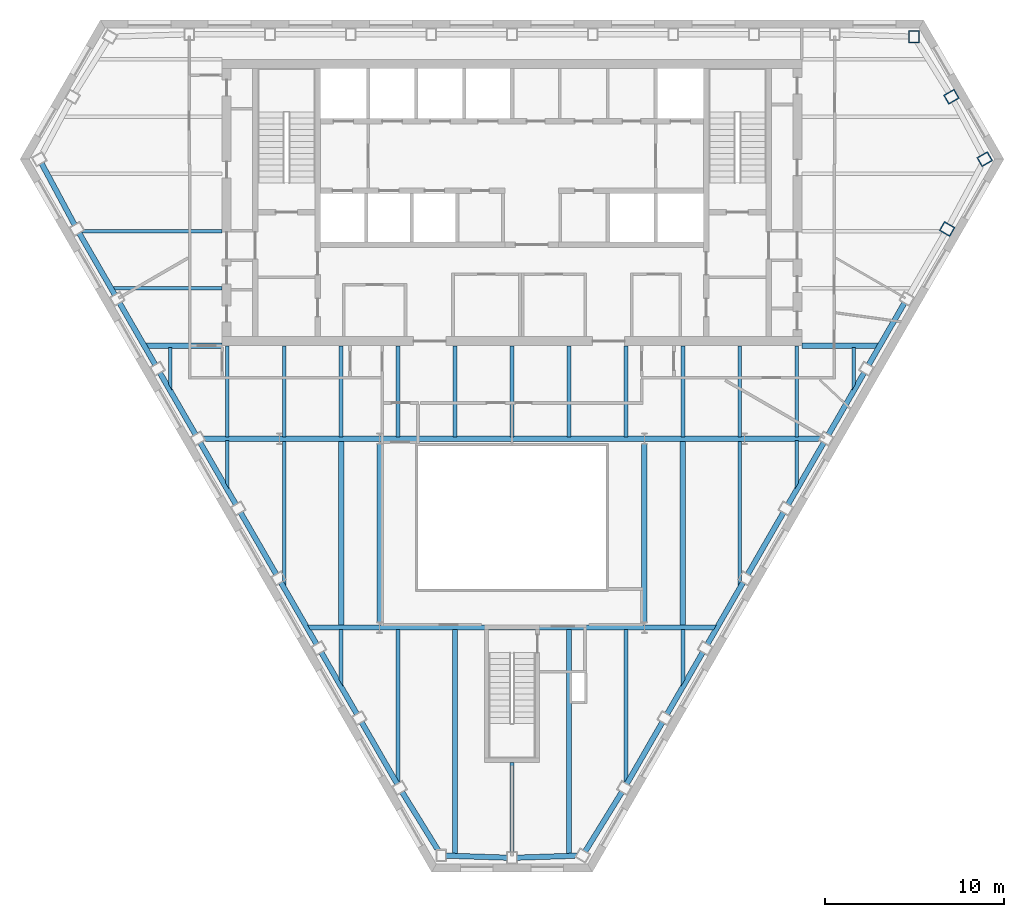
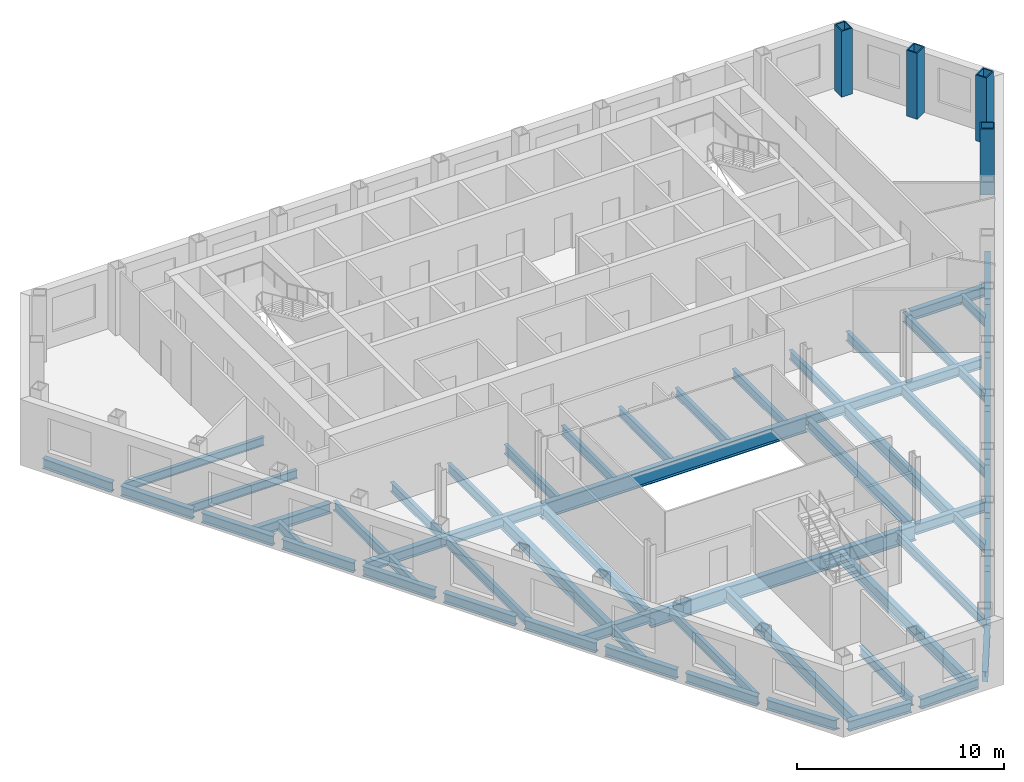
# One storey, part 2 of 11: 60 beams, 4 columns.
"""IFC4 building model written with IfcOpenShell, lengths in metres."""

from ifc_helpers import new_model, si_unit, direction, frame, origin, origin_2d, place, context, subcontext, project, spatial, hollow_rectangle, i_section, extrude, clip, halfspace, material, material_profile, profile_set, type_object, element, save


model = new_model("IFC4")

# Units and contexts
model_context = context("Model", 3, precision=1e-05, world=origin(), true_north=direction((0.0, 1.0)))
body_context = subcontext(model_context, "Body", "Model", "MODEL_VIEW")
ifc_project = project(units=[si_unit("LENGTHUNIT", "METRE"), si_unit("AREAUNIT", "SQUARE_METRE"), si_unit("VOLUMEUNIT", "CUBIC_METRE"), si_unit("PLANEANGLEUNIT", "RADIAN"), si_unit("MASSUNIT", "GRAM", prefix="KILO")], contexts=[model_context])

# Site, building, storey
site_placement = place(None, origin())
site = spatial("IfcSite", under=ifc_project, at=site_placement, CompositionType="ELEMENT")
building_placement = place(site_placement, origin())
building = spatial("IfcBuilding", under=site, at=building_placement, Name="Njiva Tower", CompositionType="ELEMENT")
storey_placement = place(building_placement, frame((0.0, 0.0, 143.7)))
storey = spatial("IfcBuildingStorey", under=building, at=storey_placement, Name="L30", CompositionType="ELEMENT", Elevation=143.7)

# Columns
ifc_material = material(Name="Steel S355 J2", Category="steel")
ifc_material_profile_1 = material_profile(ifc_material, hollow_rectangle(XDim=0.6, YDim=0.7, WallThickness=0.06, at=origin_2d()), Name="BOX 700x600x60")
ifc_profile_set_1 = profile_set([ifc_material_profile_1], Name="Steel S355 J2")
column_type = type_object("IfcColumnType", Name="C9 Perimeter tube column BOX 700x600x60", PredefinedType="COLUMN", material=ifc_profile_set_1)
for number, where, z_axis, x_axis, name in (
    (1, (22.466, 19.267, 0.0), (0.0, 0.0, 1.0), (-1.0, 0.0, 0.0), "Perimeter tube column S10-C01"),
    (2, (24.317, 8.519, 0.0), (0.0, 0.0, 1.0), (0.5, 0.866025403784, 0.0), "Perimeter tube column S10-C34"),
    (3, (26.418, 12.423, 0.0), (0.0, 0.0, 1.0), (-0.5, 0.866025403784, 0.0), "Perimeter tube column S10-C35"),
    (4, (24.557, 15.912, 0.0), (0.0, 0.0, 1.0), (-0.5, 0.866025403784, 0.0), "Perimeter tube column S10-C36"),
):
    element("IfcColumn", number, at=place(storey_placement, frame(where, z_axis=z_axis, x_axis=x_axis)), inside=storey, type_object=column_type, Name=name, PredefinedType="COLUMN", context=body_context, shape_type="SweptSolid", body=[
        extrude(hollow_rectangle(XDim=0.6, YDim=0.7, WallThickness=0.06, at=origin_2d()), origin(), (0.0, 0.0, 1.0), 3.9),
    ])

# Beams
ifc_material_profile_2 = material_profile(ifc_material, i_section(OverallWidth=0.3, OverallDepth=0.69, WebThickness=0.0145, FlangeThickness=0.027, at=origin_2d()), Name="HEA 700")
ifc_profile_set_2 = profile_set([ifc_material_profile_2], Name="Steel S355 J2")
beam_type_1 = type_object("IfcBeamType", Name="B12 Long-span floor joist HEA 700", PredefinedType="JOIST", material=ifc_profile_set_2)
beam_1_placement = place(storey_placement, frame((-9.55, -3.3, -0.545), z_axis=(0.0, -1.0, 0.0), x_axis=(1.0, 0.0, 0.0)))
element("IfcBeam", 5, at=beam_1_placement, inside=storey, type_object=beam_type_1, Name="Long-span floor joist S10-B078", PredefinedType="JOIST", context=body_context, shape_type="SweptSolid", body=[
    extrude(i_section(OverallWidth=0.3, OverallDepth=0.69, WebThickness=0.0145, FlangeThickness=0.027, at=origin_2d()), origin(), (0.0, 0.0, 1.0), 10.35),
])
for number, where, z_axis, x_axis, name in (
    (6, (-3.183, -13.851, -0.545), (0.0, -1.0, 0.0), (1.0, 0.0, 0.0), "Long-span floor joist S10-B083"),
    (7, (3.183, -13.851, -0.545), (0.0, -1.0, 0.0), (1.0, 0.0, 0.0), "Long-span floor joist S10-B088"),
):
    element("IfcBeam", number, at=place(storey_placement, frame(where, z_axis=z_axis, x_axis=x_axis)), inside=storey, type_object=beam_type_1, Name=name, PredefinedType="JOIST", context=body_context, shape_type="SweptSolid", body=[
        extrude(i_section(OverallWidth=0.3, OverallDepth=0.69, WebThickness=0.0145, FlangeThickness=0.027, at=origin_2d()), origin(), (0.0, 0.0, 1.0), 12.562),
    ])
beam_2_placement = place(storey_placement, frame((9.55, -3.3, -0.545), z_axis=(0.0, -1.0, 0.0), x_axis=(1.0, 0.0, 0.0)))
element("IfcBeam", 8, at=beam_2_placement, inside=storey, type_object=beam_type_1, Name="Long-span floor joist S10-B094", PredefinedType="JOIST", context=body_context, shape_type="SweptSolid", body=[
    extrude(i_section(OverallWidth=0.3, OverallDepth=0.69, WebThickness=0.0145, FlangeThickness=0.027, at=origin_2d()), origin(), (0.0, 0.0, 1.0), 10.35),
])
ifc_material_profile_3 = material_profile(ifc_material, i_section(OverallWidth=0.2, OverallDepth=0.5, WebThickness=0.0102, FlangeThickness=0.016, at=origin_2d()), Name="IPE 500")
ifc_profile_set_3 = profile_set([ifc_material_profile_3], Name="Steel S355 J2")
beam_type_2 = type_object("IfcBeamType", Name="B24 Floor beam to the core IPE 500", PredefinedType="BEAM", material=ifc_profile_set_3)
beam_3_placement = place(storey_placement, frame((-22.364, 5.2, -0.45), z_axis=(1.0, 0.0, 0.0), x_axis=(0.0, 1.0, 0.0)))
element("IfcBeam", 9, at=beam_3_placement, inside=storey, type_object=beam_type_2, Name="Floor beam to the core S10-B024", PredefinedType="BEAM", context=body_context, shape_type="Clipping", body=[
    clip(extrude(i_section(OverallWidth=0.2, OverallDepth=0.5, WebThickness=0.0102, FlangeThickness=0.016, at=origin_2d()), origin(), (0.0, 0.0, 1.0), 6.164), halfspace(frame((-0.025, 0.0, 0.0929), z_axis=(-0.499998009787, 0.0, -0.866026552831), x_axis=(0.0, -1.0, 0.0)), False)),
])
beam_4_placement = place(storey_placement, frame((-24.216, 8.4, -0.45), z_axis=(1.0, 0.0, 0.0), x_axis=(0.0, 1.0, 0.0)))
element("IfcBeam", 10, at=beam_4_placement, inside=storey, type_object=beam_type_2, Name="Floor beam to the core S10-B022", PredefinedType="BEAM", context=body_context, shape_type="Clipping", body=[
    clip(extrude(i_section(OverallWidth=0.2, OverallDepth=0.5, WebThickness=0.0102, FlangeThickness=0.016, at=origin_2d()), origin(), (0.0, 0.0, 1.0), 8.016), halfspace(frame((0.0433, 0.0, 0.2679), z_axis=(0.866026552831, 0.0, -0.499998009787), x_axis=(0.0, -1.0, 0.0)), False)),
])
ifc_material_profile_4 = material_profile(ifc_material, i_section(OverallWidth=0.3, OverallDepth=0.59, WebThickness=0.013, FlangeThickness=0.025, at=origin_2d()), Name="HEA 600")
ifc_profile_set_4 = profile_set([ifc_material_profile_4], Name="Steel S355 J2")
beam_type_3 = type_object("IfcBeamType", Name="B27 Short-span spandrel beam HEA 600", PredefinedType="SPANDREL", material=ifc_profile_set_4)
beam_5_placement = place(storey_placement, frame((-26.297, 12.2, -0.495), z_axis=(0.473704904444, -0.880683634176, 0.0), x_axis=(0.880683634176, 0.473704904444, 0.0)))
element("IfcBeam", 11, at=beam_5_placement, inside=storey, type_object=beam_type_3, Name="Short-span spandrel beam S10-B108", PredefinedType="SPANDREL", context=body_context, shape_type="SweptSolid", body=[
    extrude(i_section(OverallWidth=0.3, OverallDepth=0.59, WebThickness=0.013, FlangeThickness=0.025, at=origin_2d()), origin(), (0.0, 0.0, 1.0), 3.9265),
])
beam_6_placement = place(storey_placement, frame((-24.192, 8.302, -0.495), z_axis=(0.500003221507, -0.866023543838, 0.0), x_axis=(0.866023543838, 0.500003221507, 0.0)))
element("IfcBeam", 12, at=beam_6_placement, inside=storey, type_object=beam_type_3, Name="Short-span spandrel beam S10-B113", PredefinedType="SPANDREL", context=body_context, shape_type="SweptSolid", body=[
    extrude(i_section(OverallWidth=0.3, OverallDepth=0.59, WebThickness=0.013, FlangeThickness=0.025, at=origin_2d()), origin(), (0.0, 0.0, 1.0), 4.008),
])
beam_7_placement = place(storey_placement, frame((-21.938, 4.398, -0.495), z_axis=(0.499974286969, -0.866040248701, 0.0), x_axis=(0.866040248701, 0.499974286969, 0.0)))
element("IfcBeam", 13, at=beam_7_placement, inside=storey, type_object=beam_type_3, Name="Short-span spandrel beam S10-B116", PredefinedType="SPANDREL", context=body_context, shape_type="SweptSolid", body=[
    extrude(i_section(OverallWidth=0.3, OverallDepth=0.59, WebThickness=0.013, FlangeThickness=0.025, at=origin_2d()), origin(), (0.0, 0.0, 1.0), 4.0102),
])
for number, where, z_axis, x_axis, name in (
    (14, (-19.683, 0.492, -0.495), (0.500003221507, -0.866023543838, 0.0), (0.866023543838, 0.500003221507, 0.0), "Short-span spandrel beam S10-B118"),
    (15, (-17.429, -3.412, -0.495), (0.500003221507, -0.866023543838, 0.0), (0.866023543838, 0.500003221507, 0.0), "Short-span spandrel beam S10-B121"),
):
    element("IfcBeam", number, at=place(storey_placement, frame(where, z_axis=z_axis, x_axis=x_axis)), inside=storey, type_object=beam_type_3, Name=name, PredefinedType="SPANDREL", context=body_context, shape_type="SweptSolid", body=[
        extrude(i_section(OverallWidth=0.3, OverallDepth=0.59, WebThickness=0.013, FlangeThickness=0.025, at=origin_2d()), origin(), (0.0, 0.0, 1.0), 4.008),
    ])
beam_8_placement = place(storey_placement, frame((-15.175, -7.316, -0.495), z_axis=(0.500082280366, -0.865977893981, 0.0), x_axis=(0.865977893981, 0.500082280366, 0.0)))
element("IfcBeam", 16, at=beam_8_placement, inside=storey, type_object=beam_type_3, Name="Short-span spandrel beam S10-B123", PredefinedType="SPANDREL", context=body_context, shape_type="SweptSolid", body=[
    extrude(i_section(OverallWidth=0.3, OverallDepth=0.59, WebThickness=0.013, FlangeThickness=0.025, at=origin_2d()), origin(), (0.0, 0.0, 1.0), 4.0093),
])
beam_9_placement = place(storey_placement, frame((-12.92, -11.221, -0.495), z_axis=(0.499895202697, -0.866085900082, 0.0), x_axis=(0.866085900082, 0.499895202697, 0.0)))
element("IfcBeam", 17, at=beam_9_placement, inside=storey, type_object=beam_type_3, Name="Short-span spandrel beam S10-B126", PredefinedType="SPANDREL", context=body_context, shape_type="SweptSolid", body=[
    extrude(i_section(OverallWidth=0.3, OverallDepth=0.59, WebThickness=0.013, FlangeThickness=0.025, at=origin_2d()), origin(), (0.0, 0.0, 1.0), 4.0088),
])
beam_10_placement = place(storey_placement, frame((-10.666, -15.126, -0.495), z_axis=(0.500003221507, -0.866023543838, 0.0), x_axis=(0.866023543838, 0.500003221507, 0.0)))
element("IfcBeam", 18, at=beam_10_placement, inside=storey, type_object=beam_type_3, Name="Short-span spandrel beam S10-B128", PredefinedType="SPANDREL", context=body_context, shape_type="SweptSolid", body=[
    extrude(i_section(OverallWidth=0.3, OverallDepth=0.59, WebThickness=0.013, FlangeThickness=0.025, at=origin_2d()), origin(), (0.0, 0.0, 1.0), 4.008),
])
beam_11_placement = place(storey_placement, frame((-8.412, -19.03, -0.495), z_axis=(0.500082280366, -0.865977893981, 0.0), x_axis=(0.865977893981, 0.500082280366, 0.0)))
element("IfcBeam", 19, at=beam_11_placement, inside=storey, type_object=beam_type_3, Name="Short-span spandrel beam S10-B131", PredefinedType="SPANDREL", context=body_context, shape_type="SweptSolid", body=[
    extrude(i_section(OverallWidth=0.3, OverallDepth=0.59, WebThickness=0.013, FlangeThickness=0.025, at=origin_2d()), origin(), (0.0, 0.0, 1.0), 4.0093),
])
beam_12_placement = place(storey_placement, frame((-6.149, -22.934, -0.495), z_axis=(0.525859897861, -0.850571200912, 0.0), x_axis=(0.850571200912, 0.525859897861, 0.0)))
element("IfcBeam", 20, at=beam_12_placement, inside=storey, type_object=beam_type_3, Name="Short-span spandrel beam S10-B133", PredefinedType="SPANDREL", context=body_context, shape_type="Clipping", body=[
    clip(extrude(i_section(OverallWidth=0.3, OverallDepth=0.59, WebThickness=0.013, FlangeThickness=0.025, at=origin_2d()), origin(), (0.0, 0.0, 1.0), 3.941), halfspace(frame((-0.0267, 0.0, 3.8115), z_axis=(-0.525859897861, 0.0, 0.850571200912), x_axis=(0.0, 1.0, 0.0)), False)),
])
beam_13_placement = place(storey_placement, frame((-3.697, -26.498, -0.495), z_axis=(0.999432922525, -0.033672442351, 0.0), x_axis=(0.033672442351, 0.999432922525, 0.0)))
element("IfcBeam", 21, at=beam_13_placement, inside=storey, type_object=beam_type_3, Name="Short-span spandrel beam S10-B137", PredefinedType="SPANDREL", context=body_context, shape_type="SweptSolid", body=[
    extrude(i_section(OverallWidth=0.3, OverallDepth=0.59, WebThickness=0.013, FlangeThickness=0.025, at=origin_2d()), origin(), (0.0, 0.0, 1.0), 3.445),
])
beam_14_placement = place(storey_placement, frame((0.254, -26.614, -0.495), z_axis=(0.999439586851, 0.033474053148, 0.0), x_axis=(-0.033474053148, 0.999439586851, 0.0)))
element("IfcBeam", 22, at=beam_14_placement, inside=storey, type_object=beam_type_3, Name="Short-span spandrel beam S10-B138", PredefinedType="SPANDREL", context=body_context, shape_type="Clipping", body=[
    clip(extrude(i_section(OverallWidth=0.3, OverallDepth=0.59, WebThickness=0.013, FlangeThickness=0.025, at=origin_2d()), origin(), (0.0, 0.0, 1.0), 3.4589), halfspace(frame((-0.026, 0.0, 3.3294), z_axis=(-0.528707223185, 0.0, 0.848804260211), x_axis=(0.0, 1.0, 0.0)), False)),
])
beam_15_placement = place(storey_placement, frame((4.085, -26.274, -0.495), z_axis=(0.525688073686, 0.850677406062, 0.0), x_axis=(-0.850677406062, 0.525688073686, 0.0)))
element("IfcBeam", 23, at=beam_15_placement, inside=storey, type_object=beam_type_3, Name="Short-span spandrel beam S10-B142", PredefinedType="SPANDREL", context=body_context, shape_type="SweptSolid", body=[
    extrude(i_section(OverallWidth=0.3, OverallDepth=0.59, WebThickness=0.013, FlangeThickness=0.025, at=origin_2d()), origin(), (0.0, 0.0, 1.0), 3.9263),
])
beam_16_placement = place(storey_placement, frame((6.407, -22.502, -0.495), z_axis=(0.500082280366, 0.865977893981, 0.0), x_axis=(-0.865977893981, 0.500082280366, 0.0)))
element("IfcBeam", 24, at=beam_16_placement, inside=storey, type_object=beam_type_3, Name="Short-span spandrel beam S10-B145", PredefinedType="SPANDREL", context=body_context, shape_type="SweptSolid", body=[
    extrude(i_section(OverallWidth=0.3, OverallDepth=0.59, WebThickness=0.013, FlangeThickness=0.025, at=origin_2d()), origin(), (0.0, 0.0, 1.0), 4.0093),
])
beam_17_placement = place(storey_placement, frame((8.662, -18.597, -0.495), z_axis=(0.500003221507, 0.866023543838, 0.0), x_axis=(-0.866023543838, 0.500003221507, 0.0)))
element("IfcBeam", 25, at=beam_17_placement, inside=storey, type_object=beam_type_3, Name="Short-span spandrel beam S10-B147", PredefinedType="SPANDREL", context=body_context, shape_type="SweptSolid", body=[
    extrude(i_section(OverallWidth=0.3, OverallDepth=0.59, WebThickness=0.013, FlangeThickness=0.025, at=origin_2d()), origin(), (0.0, 0.0, 1.0), 4.008),
])
beam_18_placement = place(storey_placement, frame((10.916, -14.693, -0.495), z_axis=(0.499895202697, 0.866085900082, 0.0), x_axis=(-0.866085900082, 0.499895202697, 0.0)))
element("IfcBeam", 26, at=beam_18_placement, inside=storey, type_object=beam_type_3, Name="Short-span spandrel beam S10-B150", PredefinedType="SPANDREL", context=body_context, shape_type="SweptSolid", body=[
    extrude(i_section(OverallWidth=0.3, OverallDepth=0.59, WebThickness=0.013, FlangeThickness=0.025, at=origin_2d()), origin(), (0.0, 0.0, 1.0), 4.0088),
])
beam_19_placement = place(storey_placement, frame((13.17, -10.788, -0.495), z_axis=(0.500082280366, 0.865977893981, 0.0), x_axis=(-0.865977893981, 0.500082280366, 0.0)))
element("IfcBeam", 27, at=beam_19_placement, inside=storey, type_object=beam_type_3, Name="Short-span spandrel beam S10-B152", PredefinedType="SPANDREL", context=body_context, shape_type="SweptSolid", body=[
    extrude(i_section(OverallWidth=0.3, OverallDepth=0.59, WebThickness=0.013, FlangeThickness=0.025, at=origin_2d()), origin(), (0.0, 0.0, 1.0), 4.0093),
])
for number, where, z_axis, x_axis, name in (
    (28, (15.425, -6.883, -0.495), (0.500003221507, 0.866023543838, 0.0), (-0.866023543838, 0.500003221507, 0.0), "Short-span spandrel beam S10-B155"),
    (29, (17.679, -2.979, -0.495), (0.500003221507, 0.866023543838, 0.0), (-0.866023543838, 0.500003221507, 0.0), "Short-span spandrel beam S10-B157"),
):
    element("IfcBeam", number, at=place(storey_placement, frame(where, z_axis=z_axis, x_axis=x_axis)), inside=storey, type_object=beam_type_3, Name=name, PredefinedType="SPANDREL", context=body_context, shape_type="SweptSolid", body=[
        extrude(i_section(OverallWidth=0.3, OverallDepth=0.59, WebThickness=0.013, FlangeThickness=0.025, at=origin_2d()), origin(), (0.0, 0.0, 1.0), 4.008),
    ])
beam_20_placement = place(storey_placement, frame((19.933, 0.925, -0.495), z_axis=(0.499974286969, 0.866040248701, 0.0), x_axis=(-0.866040248701, 0.499974286969, 0.0)))
element("IfcBeam", 30, at=beam_20_placement, inside=storey, type_object=beam_type_3, Name="Short-span spandrel beam S10-B160", PredefinedType="SPANDREL", context=body_context, shape_type="SweptSolid", body=[
    extrude(i_section(OverallWidth=0.3, OverallDepth=0.59, WebThickness=0.013, FlangeThickness=0.025, at=origin_2d()), origin(), (0.0, 0.0, 1.0), 4.0102),
])
ifc_material_profile_5 = material_profile(ifc_material, i_section(OverallWidth=0.3, OverallDepth=0.59, WebThickness=0.013, FlangeThickness=0.025, at=origin_2d()), Name="HEA 600")
ifc_profile_set_5 = profile_set([ifc_material_profile_5], Name="Steel S355 J2")
beam_type_4 = type_object("IfcBeamType", Name="B28 Floor girder HEA 600", PredefinedType="BEAM", material=ifc_profile_set_5)
for number, where, z_axis, x_axis, name in (
    (31, (-13.0, -3.2, -0.495), (1.0, 0.0, 0.0), (0.0, 1.0, 0.0), "Floor girder S10-B035"),
    (32, (7.4, -3.2, -0.495), (1.0, 0.0, 0.0), (0.0, 1.0, 0.0), "Floor girder S10-B038"),
):
    element("IfcBeam", number, at=place(storey_placement, frame(where, z_axis=z_axis, x_axis=x_axis)), inside=storey, type_object=beam_type_4, Name=name, PredefinedType="BEAM", context=body_context, shape_type="SweptSolid", body=[
        extrude(i_section(OverallWidth=0.3, OverallDepth=0.59, WebThickness=0.013, FlangeThickness=0.025, at=origin_2d()), origin(), (0.0, 0.0, 1.0), 5.6),
    ])
ifc_material_profile_6 = material_profile(ifc_material, i_section(OverallWidth=0.3, OverallDepth=0.59, WebThickness=0.013, FlangeThickness=0.025, at=origin_2d()), Name="HEA 600")
ifc_profile_set_6 = profile_set([ifc_material_profile_6], Name="Steel S355 J2")
beam_type_5 = type_object("IfcBeamType", Name="B29 Short-span floor girder HEA 600", PredefinedType="BEAM", material=ifc_profile_set_6)
beam_21_placement = place(storey_placement, frame((-17.312, -3.2, -0.495), z_axis=(1.0, 0.0, 0.0), x_axis=(0.0, 1.0, 0.0)))
element("IfcBeam", 33, at=beam_21_placement, inside=storey, type_object=beam_type_5, Name="Short-span floor girder S10-B034", PredefinedType="BEAM", context=body_context, shape_type="Clipping", body=[
    clip(extrude(i_section(OverallWidth=0.3, OverallDepth=0.59, WebThickness=0.013, FlangeThickness=0.025, at=origin_2d()), origin(), (0.0, 0.0, 1.0), 4.312), halfspace(frame((-0.025, 0.0, 0.1217), z_axis=(-0.499998009787, 0.0, -0.866026552831), x_axis=(0.0, -1.0, 0.0)), False)),
])
beam_22_placement = place(storey_placement, frame((13.0, -3.2, -0.495), z_axis=(1.0, 0.0, 0.0), x_axis=(0.0, 1.0, 0.0)))
element("IfcBeam", 34, at=beam_22_placement, inside=storey, type_object=beam_type_5, Name="Short-span floor girder S10-B039", PredefinedType="BEAM", context=body_context, shape_type="Clipping", body=[
    clip(extrude(i_section(OverallWidth=0.3, OverallDepth=0.59, WebThickness=0.013, FlangeThickness=0.025, at=origin_2d()), origin(), (0.0, 0.0, 1.0), 4.312), halfspace(frame((-0.025, 0.0, 4.1903), z_axis=(-0.499998009787, 0.0, 0.866026552831), x_axis=(0.0, 1.0, 0.0)), False)),
])
beam_23_placement = place(storey_placement, frame((-11.452, -13.75, -0.495), z_axis=(1.0, 0.0, 0.0), x_axis=(0.0, 1.0, 0.0)))
element("IfcBeam", 35, at=beam_23_placement, inside=storey, type_object=beam_type_5, Name="Short-span floor girder S10-B036", PredefinedType="BEAM", context=body_context, shape_type="Clipping", body=[
    clip(extrude(i_section(OverallWidth=0.3, OverallDepth=0.59, WebThickness=0.013, FlangeThickness=0.025, at=origin_2d()), origin(), (0.0, 0.0, 1.0), 4.052), halfspace(frame((-0.025, 0.0, 0.1217), z_axis=(-0.499998009787, 0.0, -0.866026552831), x_axis=(0.0, -1.0, 0.0)), False)),
])
beam_24_placement = place(storey_placement, frame((7.4, -13.75, -0.495), z_axis=(1.0, 0.0, 0.0), x_axis=(0.0, 1.0, 0.0)))
element("IfcBeam", 36, at=beam_24_placement, inside=storey, type_object=beam_type_5, Name="Short-span floor girder S10-B037", PredefinedType="BEAM", context=body_context, shape_type="Clipping", body=[
    clip(extrude(i_section(OverallWidth=0.3, OverallDepth=0.59, WebThickness=0.013, FlangeThickness=0.025, at=origin_2d()), origin(), (0.0, 0.0, 1.0), 4.052), halfspace(frame((-0.025, 0.0, 3.9303), z_axis=(-0.499998009787, 0.0, 0.866026552831), x_axis=(0.0, 1.0, 0.0)), False)),
])
beam_25_placement = place(storey_placement, frame((-20.545, 2.0, -0.495), z_axis=(1.0, 0.0, 0.0), x_axis=(0.0, 1.0, 0.0)))
element("IfcBeam", 37, at=beam_25_placement, inside=storey, type_object=beam_type_5, Name="Short-span floor girder S10-B032", PredefinedType="BEAM", context=body_context, shape_type="Clipping", body=[
    clip(extrude(i_section(OverallWidth=0.3, OverallDepth=0.59, WebThickness=0.013, FlangeThickness=0.025, at=origin_2d()), origin(), (0.0, 0.0, 1.0), 4.345), halfspace(frame((-0.025, 0.0, 0.1214), z_axis=(-0.499998009787, 0.0, -0.866026552831), x_axis=(0.0, -1.0, 0.0)), False)),
])
beam_26_placement = place(storey_placement, frame((16.2, 2.0, -0.495), z_axis=(1.0, 0.0, 0.0), x_axis=(0.0, 1.0, 0.0)))
element("IfcBeam", 38, at=beam_26_placement, inside=storey, type_object=beam_type_5, Name="Short-span floor girder S10-B041", PredefinedType="BEAM", context=body_context, shape_type="Clipping", body=[
    clip(extrude(i_section(OverallWidth=0.3, OverallDepth=0.59, WebThickness=0.013, FlangeThickness=0.025, at=origin_2d()), origin(), (0.0, 0.0, 1.0), 4.345), halfspace(frame((-0.025, 0.0, 4.2236), z_axis=(-0.499998009787, 0.0, 0.866026552831), x_axis=(0.0, 1.0, 0.0)), False)),
])
ifc_material_profile_7 = material_profile(ifc_material, i_section(OverallWidth=0.3, OverallDepth=0.59, WebThickness=0.013, FlangeThickness=0.025, at=origin_2d()), Name="HEA 600")
ifc_profile_set_7 = profile_set([ifc_material_profile_7], Name="Steel S355 J2")
beam_type_6 = type_object("IfcBeamType", Name="B30 Long-span atrium trimmer beam HEA 600", PredefinedType="BEAM", material=ifc_profile_set_7)
for number, where, z_axis, x_axis, name in (
    (39, (7.4, -13.49, -0.495), (0.0, 1.0, 0.0), (-1.0, 0.0, 0.0), "Long-span atrium trimmer beam S10-B106"),
    (40, (-7.4, -3.46, -0.495), (0.0, -1.0, 0.0), (1.0, 0.0, 0.0), "Long-span atrium trimmer beam S10-B103"),
):
    element("IfcBeam", number, at=place(storey_placement, frame(where, z_axis=z_axis, x_axis=x_axis)), inside=storey, type_object=beam_type_6, Name=name, PredefinedType="BEAM", context=body_context, shape_type="SweptSolid", body=[
        extrude(i_section(OverallWidth=0.3, OverallDepth=0.59, WebThickness=0.013, FlangeThickness=0.025, at=origin_2d()), origin(), (0.0, 0.0, 1.0), 10.03),
    ])
ifc_material_profile_8 = material_profile(ifc_material, i_section(OverallWidth=0.21, OverallDepth=0.55, WebThickness=0.0111, FlangeThickness=0.0172, at=origin_2d()), Name="IPE 550")
ifc_profile_set_8 = profile_set([ifc_material_profile_8], Name="Steel S355 J2")
beam_type_7 = type_object("IfcBeamType", Name="B31 Short-span floor joist IPE 550", PredefinedType="JOIST", material=ifc_profile_set_8)
beam_27_placement = place(storey_placement, frame((-19.1, 1.9, -0.475), z_axis=(0.0, -1.0, 0.0), x_axis=(1.0, 0.0, 0.0)))
element("IfcBeam", 41, at=beam_27_placement, inside=storey, type_object=beam_type_7, Name="Short-span floor joist S10-B072", PredefinedType="JOIST", context=body_context, shape_type="Clipping", body=[
    clip(extrude(i_section(OverallWidth=0.21, OverallDepth=0.55, WebThickness=0.0111, FlangeThickness=0.0172, at=origin_2d()), origin(), (0.0, 0.0, 1.0), 2.419), halfspace(frame((-0.0433, 0.0, 2.1425), z_axis=(-0.866026552831, 0.0, 0.499998009787), x_axis=(0.0, 1.0, 0.0)), False)),
])
beam_28_placement = place(storey_placement, frame((-15.917, -3.3, -0.475), z_axis=(0.0, -1.0, 0.0), x_axis=(1.0, 0.0, 0.0)))
element("IfcBeam", 42, at=beam_28_placement, inside=storey, type_object=beam_type_7, Name="Short-span floor joist S10-B073", PredefinedType="JOIST", context=body_context, shape_type="Clipping", body=[
    clip(extrude(i_section(OverallWidth=0.21, OverallDepth=0.55, WebThickness=0.0111, FlangeThickness=0.0172, at=origin_2d()), origin(), (0.0, 0.0, 1.0), 2.733), halfspace(frame((-0.043, 0.0, 2.4562), z_axis=(-0.866026552831, 0.0, 0.499998009787), x_axis=(0.0, 1.0, 0.0)), False)),
])
beam_29_placement = place(storey_placement, frame((-9.55, -13.85, -0.475), z_axis=(0.0, -1.0, 0.0), x_axis=(1.0, 0.0, 0.0)))
element("IfcBeam", 43, at=beam_29_placement, inside=storey, type_object=beam_type_7, Name="Short-span floor joist S10-B077", PredefinedType="JOIST", context=body_context, shape_type="Clipping", body=[
    clip(extrude(i_section(OverallWidth=0.21, OverallDepth=0.55, WebThickness=0.0111, FlangeThickness=0.0172, at=origin_2d()), origin(), (0.0, 0.0, 1.0), 3.211), halfspace(frame((-0.0433, 0.0, 2.9336), z_axis=(-0.866026552831, 0.0, 0.499998009787), x_axis=(0.0, 1.0, 0.0)), False)),
])
beam_30_placement = place(storey_placement, frame((9.55, -13.85, -0.475), z_axis=(0.0, -1.0, 0.0), x_axis=(1.0, 0.0, 0.0)))
element("IfcBeam", 44, at=beam_30_placement, inside=storey, type_object=beam_type_7, Name="Short-span floor joist S10-B093", PredefinedType="JOIST", context=body_context, shape_type="Clipping", body=[
    clip(extrude(i_section(OverallWidth=0.21, OverallDepth=0.55, WebThickness=0.0111, FlangeThickness=0.0172, at=origin_2d()), origin(), (0.0, 0.0, 1.0), 3.211), halfspace(frame((0.0433, 0.0, 2.9336), z_axis=(0.866026552831, 0.0, 0.499998009787), x_axis=(0.0, 1.0, 0.0)), False)),
])
beam_31_placement = place(storey_placement, frame((15.917, -3.3, -0.475), z_axis=(0.0, -1.0, 0.0), x_axis=(1.0, 0.0, 0.0)))
element("IfcBeam", 45, at=beam_31_placement, inside=storey, type_object=beam_type_7, Name="Short-span floor joist S10-B098", PredefinedType="JOIST", context=body_context, shape_type="Clipping", body=[
    clip(extrude(i_section(OverallWidth=0.21, OverallDepth=0.55, WebThickness=0.0111, FlangeThickness=0.0172, at=origin_2d()), origin(), (0.0, 0.0, 1.0), 2.733), halfspace(frame((0.043, 0.0, 2.4562), z_axis=(0.866026552831, 0.0, 0.499998009787), x_axis=(0.0, 1.0, 0.0)), False)),
])
beam_32_placement = place(storey_placement, frame((19.1, 1.9, -0.475), z_axis=(0.0, -1.0, 0.0), x_axis=(1.0, 0.0, 0.0)))
element("IfcBeam", 46, at=beam_32_placement, inside=storey, type_object=beam_type_7, Name="Short-span floor joist S10-B100", PredefinedType="JOIST", context=body_context, shape_type="Clipping", body=[
    clip(extrude(i_section(OverallWidth=0.21, OverallDepth=0.55, WebThickness=0.0111, FlangeThickness=0.0172, at=origin_2d()), origin(), (0.0, 0.0, 1.0), 2.419), halfspace(frame((0.0433, 0.0, 2.1425), z_axis=(0.866026552831, 0.0, 0.499998009787), x_axis=(0.0, 1.0, 0.0)), False)),
])
ifc_material_profile_9 = material_profile(ifc_material, i_section(OverallWidth=0.21, OverallDepth=0.55, WebThickness=0.0111, FlangeThickness=0.0172, at=origin_2d()), Name="IPE 550")
ifc_profile_set_9 = profile_set([ifc_material_profile_9], Name="Steel S355 J2")
beam_type_8 = type_object("IfcBeamType", Name="B32 Floor joist IPE 550", PredefinedType="JOIST", material=ifc_profile_set_9)
for number, where, z_axis, x_axis, name in (
    (47, (-15.917, 1.995, -0.475), (0.0, -1.0, 0.0), (1.0, 0.0, 0.0), "Floor joist S10-B074"),
    (48, (-12.733, 1.995, -0.475), (0.0, -1.0, 0.0), (1.0, 0.0, 0.0), "Floor joist S10-B076"),
):
    element("IfcBeam", number, at=place(storey_placement, frame(where, z_axis=z_axis, x_axis=x_axis)), inside=storey, type_object=beam_type_8, Name=name, PredefinedType="JOIST", context=body_context, shape_type="SweptSolid", body=[
        extrude(i_section(OverallWidth=0.21, OverallDepth=0.55, WebThickness=0.0111, FlangeThickness=0.0172, at=origin_2d()), origin(), (0.0, 0.0, 1.0), 5.095),
    ])
beam_33_placement = place(storey_placement, frame((-12.733, -3.3, -0.475), z_axis=(0.0, -1.0, 0.0), x_axis=(1.0, 0.0, 0.0)))
element("IfcBeam", 49, at=beam_33_placement, inside=storey, type_object=beam_type_8, Name="Floor joist S10-B075", PredefinedType="JOIST", context=body_context, shape_type="Clipping", body=[
    clip(extrude(i_section(OverallWidth=0.21, OverallDepth=0.55, WebThickness=0.0111, FlangeThickness=0.0172, at=origin_2d()), origin(), (0.0, 0.0, 1.0), 8.247), halfspace(frame((-0.0436, 0.0, 7.9699), z_axis=(-0.866026552831, 0.0, 0.499998009787), x_axis=(0.0, 1.0, 0.0)), False)),
])
beam_34_placement = place(storey_placement, frame((-9.55, 1.995, -0.475), z_axis=(0.0, -1.0, 0.0), x_axis=(1.0, 0.0, 0.0)))
element("IfcBeam", 50, at=beam_34_placement, inside=storey, type_object=beam_type_8, Name="Floor joist S10-B079", PredefinedType="JOIST", context=body_context, shape_type="SweptSolid", body=[
    extrude(i_section(OverallWidth=0.21, OverallDepth=0.55, WebThickness=0.0111, FlangeThickness=0.0172, at=origin_2d()), origin(), (0.0, 0.0, 1.0), 5.095),
])
beam_35_placement = place(storey_placement, frame((-6.367, 1.995, -0.475), z_axis=(0.0, -1.0, 0.0), x_axis=(1.0, 0.0, 0.0)))
element("IfcBeam", 51, at=beam_35_placement, inside=storey, type_object=beam_type_8, Name="Floor joist S10-B082", PredefinedType="JOIST", context=body_context, shape_type="SweptSolid", body=[
    extrude(i_section(OverallWidth=0.21, OverallDepth=0.55, WebThickness=0.0111, FlangeThickness=0.0172, at=origin_2d()), origin(), (0.0, 0.0, 1.0), 5.094),
])
beam_36_placement = place(storey_placement, frame((-6.367, -13.851, -0.475), z_axis=(0.0, -1.0, 0.0), x_axis=(1.0, 0.0, 0.0)))
element("IfcBeam", 52, at=beam_36_placement, inside=storey, type_object=beam_type_8, Name="Floor joist S10-B081", PredefinedType="JOIST", context=body_context, shape_type="Clipping", body=[
    clip(extrude(i_section(OverallWidth=0.21, OverallDepth=0.55, WebThickness=0.0111, FlangeThickness=0.0172, at=origin_2d()), origin(), (0.0, 0.0, 1.0), 8.708), halfspace(frame((0.0253, 0.0, 8.6128), z_axis=(0.499998009787, 0.0, 0.866026552831), x_axis=(0.0, 1.0, 0.0)), False)),
])
for number, where, z_axis, x_axis, name in (
    (53, (-3.183, 1.995, -0.475), (0.0, -1.0, 0.0), (1.0, 0.0, 0.0), "Floor joist S10-B084"),
    (54, (0.0, 1.995, -0.475), (0.0, -1.0, 0.0), (1.0, 0.0, 0.0), "Floor joist S10-B087"),
):
    element("IfcBeam", number, at=place(storey_placement, frame(where, z_axis=z_axis, x_axis=x_axis)), inside=storey, type_object=beam_type_8, Name=name, PredefinedType="JOIST", context=body_context, shape_type="SweptSolid", body=[
        extrude(i_section(OverallWidth=0.21, OverallDepth=0.55, WebThickness=0.0111, FlangeThickness=0.0172, at=origin_2d()), origin(), (0.0, 0.0, 1.0), 5.094),
    ])
beam_37_placement = place(storey_placement, frame((0.0, -21.3, -0.475), z_axis=(0.0, -1.0, 0.0), x_axis=(1.0, 0.0, 0.0)))
element("IfcBeam", 55, at=beam_37_placement, inside=storey, type_object=beam_type_8, Name="Floor joist S10-B086", PredefinedType="JOIST", context=body_context, shape_type="SweptSolid", body=[
    extrude(i_section(OverallWidth=0.21, OverallDepth=0.55, WebThickness=0.0111, FlangeThickness=0.0172, at=origin_2d()), origin(), (0.0, 0.0, 1.0), 5.023),
])
for number, where, z_axis, x_axis, name in (
    (56, (3.183, 1.995, -0.475), (0.0, -1.0, 0.0), (1.0, 0.0, 0.0), "Floor joist S10-B089"),
    (57, (6.367, 1.995, -0.475), (0.0, -1.0, 0.0), (1.0, 0.0, 0.0), "Floor joist S10-B092"),
):
    element("IfcBeam", number, at=place(storey_placement, frame(where, z_axis=z_axis, x_axis=x_axis)), inside=storey, type_object=beam_type_8, Name=name, PredefinedType="JOIST", context=body_context, shape_type="SweptSolid", body=[
        extrude(i_section(OverallWidth=0.21, OverallDepth=0.55, WebThickness=0.0111, FlangeThickness=0.0172, at=origin_2d()), origin(), (0.0, 0.0, 1.0), 5.094),
    ])
beam_38_placement = place(storey_placement, frame((6.367, -13.851, -0.475), z_axis=(0.0, -1.0, 0.0), x_axis=(1.0, 0.0, 0.0)))
element("IfcBeam", 58, at=beam_38_placement, inside=storey, type_object=beam_type_8, Name="Floor joist S10-B091", PredefinedType="JOIST", context=body_context, shape_type="Clipping", body=[
    clip(extrude(i_section(OverallWidth=0.21, OverallDepth=0.55, WebThickness=0.0111, FlangeThickness=0.0172, at=origin_2d()), origin(), (0.0, 0.0, 1.0), 8.708), halfspace(frame((-0.0253, 0.0, 8.6128), z_axis=(-0.499998009787, 0.0, 0.866026552831), x_axis=(0.0, 1.0, 0.0)), False)),
])
for number, where, z_axis, x_axis, name in (
    (59, (9.55, 1.995, -0.475), (0.0, -1.0, 0.0), (1.0, 0.0, 0.0), "Floor joist S10-B095"),
    (60, (12.733, 1.995, -0.475), (0.0, -1.0, 0.0), (1.0, 0.0, 0.0), "Floor joist S10-B097"),
):
    element("IfcBeam", number, at=place(storey_placement, frame(where, z_axis=z_axis, x_axis=x_axis)), inside=storey, type_object=beam_type_8, Name=name, PredefinedType="JOIST", context=body_context, shape_type="SweptSolid", body=[
        extrude(i_section(OverallWidth=0.21, OverallDepth=0.55, WebThickness=0.0111, FlangeThickness=0.0172, at=origin_2d()), origin(), (0.0, 0.0, 1.0), 5.095),
    ])
beam_39_placement = place(storey_placement, frame((12.733, -3.3, -0.475), z_axis=(0.0, -1.0, 0.0), x_axis=(1.0, 0.0, 0.0)))
element("IfcBeam", 61, at=beam_39_placement, inside=storey, type_object=beam_type_8, Name="Floor joist S10-B096", PredefinedType="JOIST", context=body_context, shape_type="Clipping", body=[
    clip(extrude(i_section(OverallWidth=0.21, OverallDepth=0.55, WebThickness=0.0111, FlangeThickness=0.0172, at=origin_2d()), origin(), (0.0, 0.0, 1.0), 8.247), halfspace(frame((0.0436, 0.0, 7.9699), z_axis=(0.866026552831, 0.0, 0.499998009787), x_axis=(0.0, 1.0, 0.0)), False)),
])
beam_40_placement = place(storey_placement, frame((15.917, 1.995, -0.475), z_axis=(0.0, -1.0, 0.0), x_axis=(1.0, 0.0, 0.0)))
element("IfcBeam", 62, at=beam_40_placement, inside=storey, type_object=beam_type_8, Name="Floor joist S10-B099", PredefinedType="JOIST", context=body_context, shape_type="SweptSolid", body=[
    extrude(i_section(OverallWidth=0.21, OverallDepth=0.55, WebThickness=0.0111, FlangeThickness=0.0172, at=origin_2d()), origin(), (0.0, 0.0, 1.0), 5.095),
])
ifc_material_profile_10 = material_profile(ifc_material, i_section(OverallWidth=0.302, OverallDepth=0.91, WebThickness=0.021, FlangeThickness=0.04, at=origin_2d()), Name="HEM 900")
ifc_profile_set_10 = profile_set([ifc_material_profile_10], Name="Steel S355 J2")
beam_type_9 = type_object("IfcBeamType", Name="B8 Long-span atrium trimmer beam HEM 900", PredefinedType="BEAM", material=ifc_profile_set_10)
for number, where, z_axis, x_axis, name in (
    (63, (-7.4, -13.75, -0.655), (1.0, 0.0, 0.0), (0.0, 1.0, 0.0), "Long-span atrium trimmer beam S10-B102"),
    (64, (7.4, -3.2, -0.655), (-1.0, 0.0, 0.0), (0.0, -1.0, 0.0), "Long-span atrium trimmer beam S10-B104"),
):
    element("IfcBeam", number, at=place(storey_placement, frame(where, z_axis=z_axis, x_axis=x_axis)), inside=storey, type_object=beam_type_9, Name=name, PredefinedType="BEAM", context=body_context, shape_type="SweptSolid", body=[
        extrude(i_section(OverallWidth=0.302, OverallDepth=0.91, WebThickness=0.021, FlangeThickness=0.04, at=origin_2d()), origin(), (0.0, 0.0, 1.0), 14.8),
    ])

save(model, "model.ifc")
